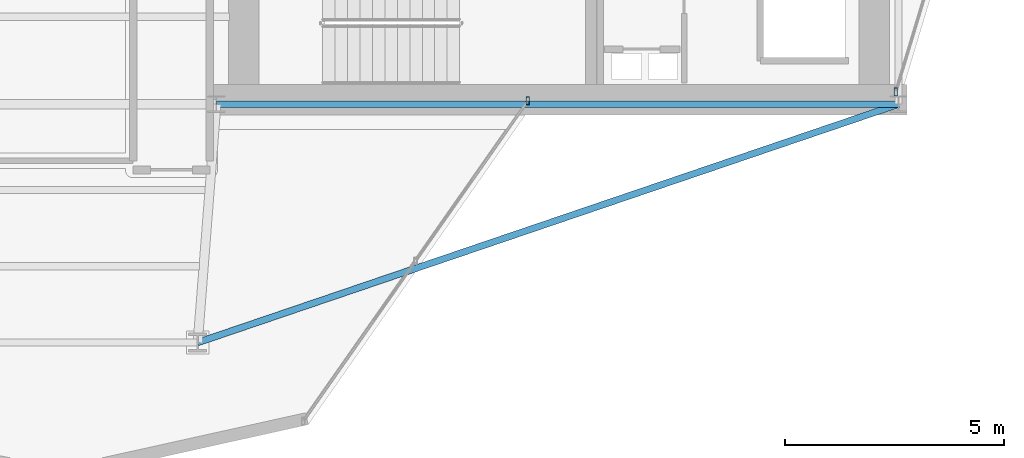
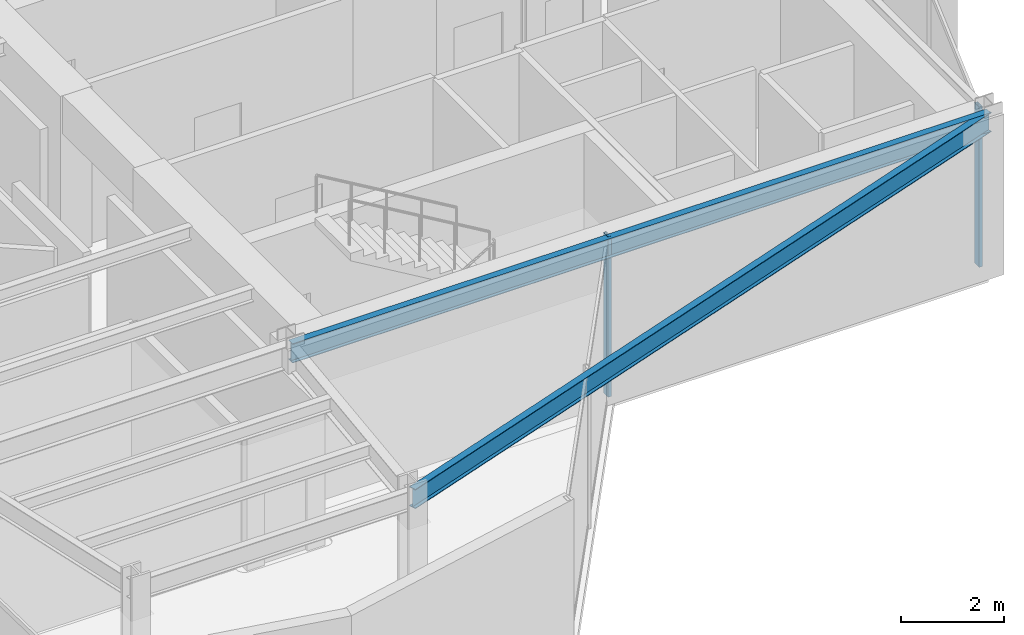
# One storey, part 13 of 24: 2 beams, 2 members, 2 elements without a shape of their own.
"""IFC4 building model written with IfcOpenShell, lengths in metres."""

import ifcopenshell
import ifcopenshell.guid

model = None  # the IFC model being written
_history = None  # IfcOwnerHistory: only IFC2X3 demands one
_inside = {}  # id of a spatial element -> (the spatial element, [elements in it])
_under = {}  # id of a project, library or spatial element -> (it, [spatial elements below it])
_declared = {}  # id of a project -> (the project, [libraries it declares])
_typed = {}  # id of a type object -> (the type object, [elements of that type])
_made_of = {}  # id of a material, layer set ... -> (it, [elements and type objects made of it])


def new_model(schema):
    """Start an empty IFC model of exactly this schema.

    Asked for "IFC4X3", IfcOpenShell would pick the latest addendum, in which some entities
    have other attributes; the version numbers below select the first issue.
    IFC2X3 requires an IfcOwnerHistory on every rooted entity: one is made here for all.
    """
    global model, _history
    if schema == "IFC4X3":
        model = ifcopenshell.file(schema_version=(4, 3, 0, 0))
    else:
        model = ifcopenshell.file(schema=schema)
    _inside.clear()
    _under.clear()
    _declared.clear()
    _typed.clear()
    _made_of.clear()
    _history = None
    if model.schema == "IFC2X3":
        org = make("IfcOrganization", Name="unknown")
        user = make(
            "IfcPersonAndOrganization",
            ThePerson=make("IfcPerson", FamilyName="unknown"),
            TheOrganization=org,
        )
        app = make(
            "IfcApplication",
            ApplicationDeveloper=org,
            Version="unknown",
            ApplicationFullName="unknown",
            ApplicationIdentifier="unknown",
        )
        _history = make(
            "IfcOwnerHistory",
            OwningUser=user,
            OwningApplication=app,
            ChangeAction="ADDED",
            CreationDate=0,
        )
    return model


def make(cls, **values):
    """One entity of the class cls with the attributes given. An attribute that is None is left unset."""
    return model.create_entity(
        cls, **{name: value for name, value in values.items() if value is not None}
    )


def rooted(cls, **values):
    """An entity with a GlobalId (a new one), such as an element, a storey or a relation."""
    return make(cls, GlobalId=ifcopenshell.guid.new(), OwnerHistory=_history, **values)


def si_unit(unit_type, name, prefix=None):
    """IfcSIUnit, for example si_unit("LENGTHUNIT", "METRE", prefix="MILLI")."""
    return make("IfcSIUnit", UnitType=unit_type, Prefix=prefix, Name=name)


def assignment(units):
    """IfcUnitAssignment: the units of a project."""
    return None if units is None else make("IfcUnitAssignment", Units=units)


def point(xyz):
    """IfcCartesianPoint."""
    return None if xyz is None else make("IfcCartesianPoint", Coordinates=xyz)


def direction(xyz):
    """IfcDirection."""
    return None if xyz is None else make("IfcDirection", DirectionRatios=xyz)


def frame(location, z_axis=None, x_axis=None):
    """IfcAxis2Placement3D, a coordinate frame: its origin and axes. An axis left out is left unset."""
    return make(
        "IfcAxis2Placement3D",
        Location=point(location),
        Axis=direction(z_axis),
        RefDirection=direction(x_axis),
    )


def frame_2d(location, x_axis=None):
    """IfcAxis2Placement2D, a coordinate frame in the plane: its origin and x axis."""
    return make(
        "IfcAxis2Placement2D", Location=point(location), RefDirection=direction(x_axis)
    )


def origin():
    """The frame at (0, 0, 0) with its axes left unset."""
    return frame((0.0, 0.0, 0.0))


def origin_2d():
    """The frame at (0, 0) in the plane with its x axis left unset."""
    return frame_2d((0.0, 0.0))


def place(relative_to, where):
    """IfcLocalPlacement: puts the frame where relative to a parent placement (None: the world)."""
    return make(
        "IfcLocalPlacement", PlacementRelTo=relative_to, RelativePlacement=where
    )


def context(
    kind, dimensions, precision=None, world=None, true_north=None, identifier=None
):
    """IfcGeometricRepresentationContext, for example the 3D "Model" context."""
    return make(
        "IfcGeometricRepresentationContext",
        ContextIdentifier=identifier,
        ContextType=kind,
        CoordinateSpaceDimension=dimensions,
        Precision=precision,
        WorldCoordinateSystem=world,
        TrueNorth=true_north,
    )


def subcontext(parent, identifier, kind, view, scale=None):
    """IfcGeometricRepresentationSubContext, for example "Body" below "Model"."""
    return make(
        "IfcGeometricRepresentationSubContext",
        ContextIdentifier=identifier,
        ContextType=kind,
        ParentContext=parent,
        TargetScale=scale,
        TargetView=view,
    )


def project(units=None, contexts=None):
    """IfcProject with its units and contexts."""
    return rooted(
        "IfcProject",
        Name="project",
        RepresentationContexts=contexts,
        UnitsInContext=assignment(units),
    )


def spatial(cls, under=None, at=None, **own):
    """A site, building, storey or space (cls), placed at a placement, below another one or the project."""
    s = rooted(cls, ObjectPlacement=at, **own)
    if under is not None:
        _under.setdefault(under.id(), (under, []))[1].append(s)
    return s


def profile(cls, at=None, kind="AREA", **sizes):
    """A parametric profile (cls). Its sizes go by their IFC names, for example OverallWidth=200.0."""
    return make(cls, ProfileType=kind, Position=at, **sizes)


def hollow_rectangle(**sizes):
    """IfcRectangleHollowProfileDef."""
    return profile("IfcRectangleHollowProfileDef", **sizes)


def i_section(**sizes):
    """IfcIShapeProfileDef."""
    return profile("IfcIShapeProfileDef", **sizes)


def extrude(swept, where, along, depth):
    """IfcExtrudedAreaSolid: the profile swept, set in the frame where, extruded along a direction by depth."""
    return make(
        "IfcExtrudedAreaSolid",
        SweptArea=swept,
        Position=where,
        ExtrudedDirection=direction(along),
        Depth=depth,
    )


def shape(context_of_items, identifier, shape_type, items):
    """IfcShapeRepresentation: the items that make up one representation, for example the "Body"."""
    return make(
        "IfcShapeRepresentation",
        ContextOfItems=context_of_items,
        RepresentationIdentifier=identifier,
        RepresentationType=shape_type,
        Items=items,
    )


def material(Name=None, Category=None):
    """IfcMaterial."""
    return make("IfcMaterial", Name=Name, Category=Category)


def layer(
    of_material, thickness, ventilated=None, Name=None, Category=None, Priority=None
):
    """IfcMaterialLayer: one layer of a wall or slab, of a material (None: an air gap)."""
    return make(
        "IfcMaterialLayer",
        Material=of_material,
        LayerThickness=thickness,
        IsVentilated=ventilated,
        Name=Name,
        Category=Category,
        Priority=Priority,
    )


def layer_set(layers, Name=None):
    """IfcMaterialLayerSet."""
    return make("IfcMaterialLayerSet", MaterialLayers=layers, LayerSetName=Name)


def material_profile(
    of_material, cross_section, Name=None, Category=None, Priority=None
):
    """IfcMaterialProfile: a cross section and its material."""
    return make(
        "IfcMaterialProfile",
        Name=Name,
        Material=of_material,
        Profile=cross_section,
        Priority=Priority,
        Category=Category,
    )


def profile_set(profiles, Name=None, composite=None):
    """IfcMaterialProfileSet."""
    return make(
        "IfcMaterialProfileSet",
        Name=Name,
        MaterialProfiles=profiles,
        CompositeProfile=composite,
    )


def made_of(thing, what):
    """Note that an element or type object is made of a material, layer set ...; save() writes the relation."""
    if what is not None:
        _made_of.setdefault(what.id(), (what, []))[1].append(thing)
    return thing


def type_object(cls, material=None, **own):
    """A type object (cls), such as IfcWallType, which elements share."""
    return made_of(rooted(cls, **own), material)


def element(
    cls,
    number,
    at=None,
    inside=None,
    cuts=None,
    type_object=None,
    material=None,
    context=None,
    identifier="Body",
    shape_type=None,
    held_by="IfcProductDefinitionShape",
    body=None,
    shapes=None,
    **own,
):
    """One element of the class cls, such as IfcWall. Its Tag is "e" and its number.

    at: its placement. inside: the storey or other place that contains it. cuts: it is an
    opening in that element (IfcRelVoidsElement). A single representation is given by context,
    identifier, shape_type and body (its items); several are given by shapes. held_by: the class
    of the entity that holds the representations. save() writes the other relations.
    """
    e = rooted(cls, Tag="e%d" % number, ObjectPlacement=at, **own)
    if body is not None:
        shapes = [shape(context, identifier, shape_type, body)]
    if shapes is not None:
        e.Representation = make(held_by, Representations=shapes)
    if inside is not None:
        _inside.setdefault(inside.id(), (inside, []))[1].append(e)
    if cuts is not None:
        rooted(
            "IfcRelVoidsElement", RelatingBuildingElement=cuts, RelatedOpeningElement=e
        )
    if type_object is not None:
        _typed.setdefault(type_object.id(), (type_object, []))[1].append(e)
    return made_of(e, material)


def aggregate(whole, parts):
    """IfcRelAggregates: a whole, such as a stair, and the parts it consists of."""
    return rooted("IfcRelAggregates", RelatingObject=whole, RelatedObjects=parts)


def save(model, path):
    """Write the relations noted so far, then the file.

    IfcRelAggregates (storeys below a building ...), IfcRelContainedInSpatialStructure (elements
    in a storey), IfcRelDefinesByType, IfcRelAssociatesMaterial and IfcRelDeclares: one each for
    every whole, place, type object, material and project.
    """
    for whole, parts in _under.values():
        aggregate(whole, parts)
    for where, things in _inside.values():
        rooted(
            "IfcRelContainedInSpatialStructure",
            RelatedElements=things,
            RelatingStructure=where,
        )
    for kind, things in _typed.values():
        rooted("IfcRelDefinesByType", RelatedObjects=things, RelatingType=kind)
    for what, things in _made_of.values():
        rooted("IfcRelAssociatesMaterial", RelatedObjects=things, RelatingMaterial=what)
    for by, libraries in _declared.values():
        rooted("IfcRelDeclares", RelatingContext=by, RelatedDefinitions=libraries)
    model.write(path)


model = new_model("IFC4")

# Units and contexts
model_context = context("Model", 3, precision=1e-05, world=origin(), true_north=direction((0.0, 1.0)))
body_context = subcontext(model_context, "Body", "Model", "MODEL_VIEW")
ifc_project = project(units=[si_unit("LENGTHUNIT", "METRE"), si_unit("AREAUNIT", "SQUARE_METRE"), si_unit("VOLUMEUNIT", "CUBIC_METRE"), si_unit("PLANEANGLEUNIT", "RADIAN"), si_unit("MASSUNIT", "GRAM", prefix="KILO")], contexts=[model_context])

# Site, building, storey
site_placement = place(None, origin())
site = spatial("IfcSite", under=ifc_project, at=site_placement, CompositionType="ELEMENT")
building_placement = place(site_placement, origin())
building = spatial("IfcBuilding", under=site, at=building_placement, Name="Veymaron Broadcast Tower", CompositionType="ELEMENT")
storey_placement = place(building_placement, frame((0.0, 0.0, 220.199951171875)))
storey = spatial("IfcBuildingStorey", under=building, at=storey_placement, Name="L51", CompositionType="ELEMENT", Elevation=220.199951171875)

# Beams
ifc_material_1 = material(Name="Structural steel ASTM A992 Gr 50", Category="steel")
ifc_material_profile_1 = material_profile(ifc_material_1, i_section(OverallWidth=0.154052734375, OverallDepth=0.458984375, WebThickness=0.009033203125, FlangeThickness=0.015380859375, at=origin_2d()), Name="W460X68")
ifc_profile_set_1 = profile_set([ifc_material_profile_1], Name="Structural steel ASTM A992 Gr 50")
beam_type = type_object("IfcBeamType", Name="BM-SP2", PredefinedType="SPANDREL", material=ifc_profile_set_1)
beam_1_placement = place(storey_placement, frame((39.0, 16.0, 3.560546875), z_axis=(1.0, 0.0, 0.0), x_axis=(0.0, 1.0, 0.0)))
element("IfcBeam", 1, at=beam_1_placement, inside=storey, type_object=beam_type, Name="L51 primary structural floor girder", PredefinedType="SPANDREL", context=body_context, shape_type="SweptSolid", body=[
    extrude(i_section(OverallWidth=0.154052734375, OverallDepth=0.458984375, WebThickness=0.009033203125, FlangeThickness=0.015380859375, at=origin_2d()), origin(), (0.0, 0.0, 1.0), 15.60009765625),
])
beam_2_placement = place(storey_placement, frame((54.60009765625, 16.0, 3.560546875), z_axis=(-0.946747509746, -0.3219769445, 0.0), x_axis=(0.3219769445, -0.946747509746, 0.0)))
element("IfcBeam", 2, at=beam_2_placement, inside=storey, type_object=beam_type, Name="L51 primary structural floor girder", PredefinedType="SPANDREL", context=body_context, shape_type="SweptSolid", body=[
    extrude(i_section(OverallWidth=0.154052734375, OverallDepth=0.458984375, WebThickness=0.009033203125, FlangeThickness=0.015380859375, at=origin_2d()), origin(), (0.0, 0.0, 1.0), 16.926513671875),
])

# Curtain wall, member
ifc_material_2 = material(Name="Anodised aluminium AA 6063-T6 and laminated low-E dark glass", Category="aluminium")
ifc_layer = layer(ifc_material_2, 0.179931640625)
ifc_layer_set = layer_set([ifc_layer], Name="Anodised aluminium AA 6063-T6 and laminated low-E dark glass")
curtain_wall_type = type_object("IfcCurtainWallType", Name="CW-SYS-05", PredefinedType="NOTDEFINED", material=ifc_layer_set)
curtain_wall_1_placement = place(storey_placement, origin())
curtain_wall_1 = element("IfcCurtainWall", 3, at=curtain_wall_1_placement, inside=storey, type_object=curtain_wall_type, Name="L51 dark-glass curtain wall CW-L51-E2-1", PredefinedType="NOTDEFINED")
ifc_material_3 = material(Name="Anodised aluminium AA 6063-T6", Category="aluminium")
ifc_material_profile_2 = material_profile(ifc_material_3, hollow_rectangle(XDim=0.074951171875, YDim=0.179931640625, WallThickness=0.0048828125, at=origin_2d()), Name="AL180X75X5")
ifc_profile_set_2 = profile_set([ifc_material_profile_2], Name="Anodised aluminium AA 6063-T6")
member_type = type_object("IfcMemberType", Name="CW-MUL-02", PredefinedType="MULLION", material=ifc_profile_set_2)
member_1_placement = place(storey_placement, frame((54.53955078125, 16.283935546875, 0.0), z_axis=(0.0, 0.0, 1.0), x_axis=(1.0, 0.0, 0.0)))
member_1 = element("IfcMember", 4, at=member_1_placement, type_object=member_type, Name="CW-L51-E2-1 mullion 0", PredefinedType="MULLION", context=body_context, shape_type="SweptSolid", body=[
    extrude(hollow_rectangle(XDim=0.074951171875, YDim=0.179931640625, WallThickness=0.0048828125, at=origin_2d()), origin(), (0.0, 0.0, 1.0), 3.7900390625),
])
aggregate(curtain_wall_1, [member_1])

curtain_wall_2_placement = place(storey_placement, origin())
curtain_wall_2 = element("IfcCurtainWall", 5, at=curtain_wall_2_placement, inside=storey, type_object=curtain_wall_type, Name="L51 dark-glass curtain wall CW-L51-E20-1", PredefinedType="NOTDEFINED")
member_2_placement = place(storey_placement, frame((46.124755859375, 16.080322265625, 0.0), z_axis=(0.0, 0.0, 1.0), x_axis=(1.0, 0.0, 0.0)))
member_2 = element("IfcMember", 6, at=member_2_placement, type_object=member_type, Name="CW-L51-E20-1 mullion 2", PredefinedType="MULLION", context=body_context, shape_type="SweptSolid", body=[
    extrude(hollow_rectangle(XDim=0.074951171875, YDim=0.179931640625, WallThickness=0.0048828125, at=origin_2d()), origin(), (0.0, 0.0, 1.0), 3.7900390625),
])
aggregate(curtain_wall_2, [member_2])

save(model, "model.ifc")
